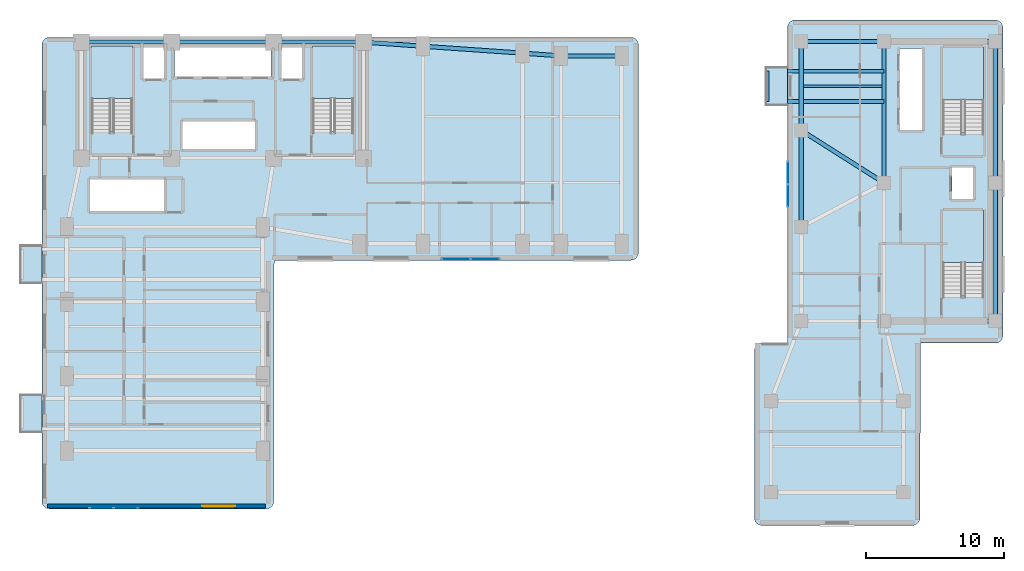
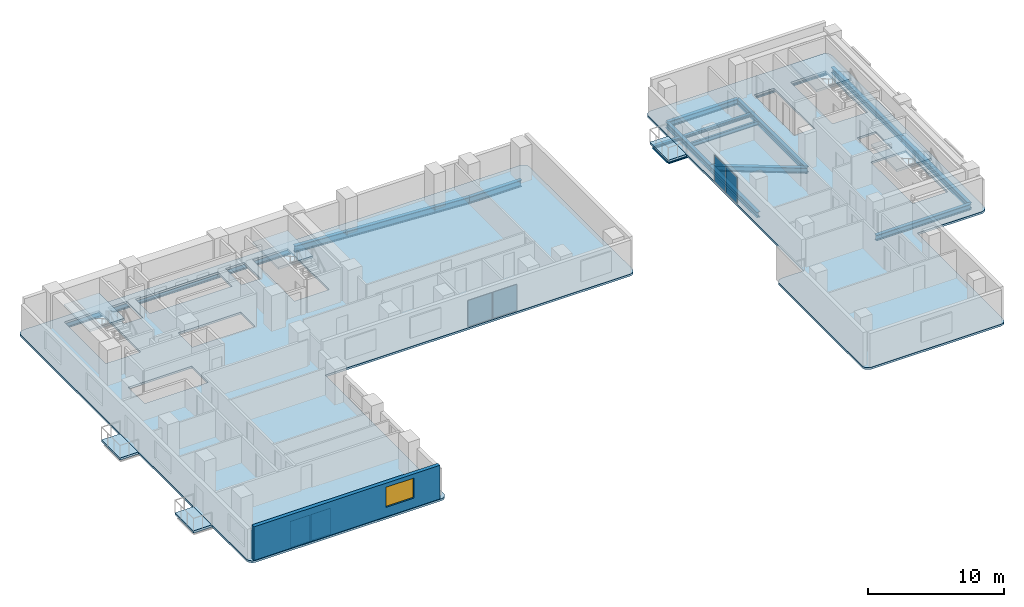
# One storey, part 9 of 17: 20 beams, 9 slabs, 6 plates, 1 wall, 1 window, 1 opening, 7 elements without a shape of their own.
"""IFC4 building model written with IfcOpenShell, lengths in metres."""

from ifc_helpers import new_model, si_unit, direction, frame, frame_2d, origin, origin_2d, place, context, subcontext, project, spatial, polyline, rectangle, i_section, outline, extrude, material, layer, layer_set, material_profile, profile_set, type_object, element, fill, aggregate, save


model = new_model("IFC4")

# Units and contexts
model_context = context("Model", 3, precision=1e-05, world=origin(), true_north=direction((0.0, 1.0)))
body_context = subcontext(model_context, "Body", "Model", "MODEL_VIEW")
ifc_project = project(units=[si_unit("LENGTHUNIT", "METRE"), si_unit("AREAUNIT", "SQUARE_METRE"), si_unit("VOLUMEUNIT", "CUBIC_METRE"), si_unit("PLANEANGLEUNIT", "RADIAN"), si_unit("MASSUNIT", "GRAM", prefix="KILO")], contexts=[model_context])

# Site, building, storey
site_placement = place(None, origin())
site = spatial("IfcSite", under=ifc_project, at=site_placement, CompositionType="ELEMENT")
building_placement = place(site_placement, origin())
building = spatial("IfcBuilding", under=site, at=building_placement, Name="Kuzgunbayir Cultural Tower", CompositionType="ELEMENT")
storey_placement = place(building_placement, frame((0.0, 0.0, 50.0)))
storey = spatial("IfcBuildingStorey", under=building, at=storey_placement, Name="L13", CompositionType="ELEMENT", Elevation=50.0)

# Beams
ifc_material_1 = material(Name="Steel S355J2", Category="steel")
ifc_material_profile_1 = material_profile(ifc_material_1, i_section(OverallWidth=0.260009765625, OverallDepth=0.260009765625, WebThickness=0.010009765625, FlangeThickness=0.017578125, FilletRadius=0.02392578125, at=origin_2d()), Name="HEB 260")
ifc_profile_set_1 = profile_set([ifc_material_profile_1], Name="Steel S355J2")
beam_type_1 = type_object("IfcBeamType", Name="BM-BAL-HEB260", PredefinedType="BEAM", material=ifc_profile_set_1)
for number, where, z_axis, x_axis, name in (
    (1, (56.159912109375, 37.89990234375, -0.330078125), (1.0, 0.0, 0.0), (0.0, 1.0, 0.0), "L13 Companion Balcony Outrigger BAL-L13-T2W3.1"),
    (2, (56.159912109375, 40.10009765625, -0.330078125), (1.0, 0.0, 0.0), (0.0, 1.0, 0.0), "L13 Companion Balcony Outrigger BAL-L13-T2W3.2"),
):
    element("IfcBeam", number, at=place(storey_placement, frame(where, z_axis=z_axis, x_axis=x_axis)), inside=storey, type_object=beam_type_1, Name=name, PredefinedType="BEAM", context=body_context, shape_type="SweptSolid", body=[
        extrude(i_section(OverallWidth=0.260009765625, OverallDepth=0.260009765625, WebThickness=0.010009765625, FlangeThickness=0.017578125, FilletRadius=0.02392578125, at=origin_2d()), origin(), (0.0, 0.0, 1.0), 8.440185546875),
    ])
ifc_material_profile_2 = material_profile(ifc_material_1, i_section(OverallWidth=0.199951171875, OverallDepth=0.199951171875, WebThickness=0.009033203125, FlangeThickness=0.014892578125, FilletRadius=0.01806640625, at=origin_2d()), Name="HEB 200")
ifc_profile_set_2 = profile_set([ifc_material_profile_2], Name="Steel S355J2")
beam_type_2 = type_object("IfcBeamType", Name="BM-CAN-HEB200", PredefinedType="BEAM", material=ifc_profile_set_2)
beam_1_placement = place(storey_placement, frame((56.159912109375, 37.89990234375, -0.300048828125), z_axis=(0.0, 1.0, 0.0), x_axis=(-1.0, 0.0, 0.0)))
element("IfcBeam", 3, at=beam_1_placement, inside=storey, type_object=beam_type_2, Name="L13 Companion Balcony Header BAL-L13-T2W3", PredefinedType="BEAM", context=body_context, shape_type="SweptSolid", body=[
    extrude(i_section(OverallWidth=0.199951171875, OverallDepth=0.199951171875, WebThickness=0.009033203125, FlangeThickness=0.014892578125, FilletRadius=0.01806640625, at=origin_2d()), origin(), (0.0, 0.0, 1.0), 2.2001953125),
])
ifc_material_profile_3 = material_profile(ifc_material_1, i_section(OverallWidth=0.300048828125, OverallDepth=0.5, WebThickness=0.014404296875, FlangeThickness=0.028076171875, FilletRadius=0.027099609375, at=origin_2d()), Name="HEB 500")
ifc_profile_set_3 = profile_set([ifc_material_profile_3], Name="Steel S355J2")
beam_type_3 = type_object("IfcBeamType", Name="BM-EXT-HEB500", PredefinedType="BEAM", material=ifc_profile_set_3)
beam_2_placement = place(storey_placement, frame((58.60009765625, 28.800048828125, -0.429931640625), z_axis=(0.0, 1.0, 0.0), x_axis=(-1.0, 0.0, 0.0)))
element("IfcBeam", 4, at=beam_2_placement, inside=storey, type_object=beam_type_3, Name="L13 Companion West Girder", PredefinedType="BEAM", context=body_context, shape_type="SweptSolid", body=[
    extrude(i_section(OverallWidth=0.300048828125, OverallDepth=0.5, WebThickness=0.014404296875, FlangeThickness=0.028076171875, FilletRadius=0.027099609375, at=origin_2d()), origin(), (0.0, 0.0, 1.0), 7.0),
])
beam_3_placement = place(storey_placement, frame((58.60009765625, 35.800048828125, -0.429931640625), z_axis=(0.0, 1.0, 0.0), x_axis=(-1.0, 0.0, 0.0)))
element("IfcBeam", 5, at=beam_3_placement, inside=storey, type_object=beam_type_3, Name="L13 Companion West Girder", PredefinedType="BEAM", context=body_context, shape_type="SweptSolid", body=[
    extrude(i_section(OverallWidth=0.300048828125, OverallDepth=0.5, WebThickness=0.014404296875, FlangeThickness=0.028076171875, FilletRadius=0.027099609375, at=origin_2d()), origin(), (0.0, 0.0, 1.0), 6.449951171875),
])
ifc_material_profile_4 = material_profile(ifc_material_1, i_section(OverallWidth=0.300048828125, OverallDepth=0.60009765625, WebThickness=0.015380859375, FlangeThickness=0.030029296875, FilletRadius=0.027099609375, at=origin_2d()), Name="HEB 600")
ifc_profile_set_4 = profile_set([ifc_material_profile_4], Name="Steel S355J2")
beam_type_4 = type_object("IfcBeamType", Name="BM-EXT-HEB600", PredefinedType="BEAM", material=ifc_profile_set_4)
beam_4_placement = place(storey_placement, frame((26.89990234375, 42.199951171875, -0.47998046875), z_axis=(0.997574369175, -0.069608749203, 0.0), x_axis=(0.069608749203, 0.997574369175, 0.0)))
element("IfcBeam", 6, at=beam_4_placement, inside=storey, type_object=beam_type_4, Name="L13 Wing B North Girder 1", PredefinedType="BEAM", context=body_context, shape_type="SweptSolid", body=[
    extrude(i_section(OverallWidth=0.300048828125, OverallDepth=0.60009765625, WebThickness=0.015380859375, FlangeThickness=0.030029296875, FilletRadius=0.027099609375, at=origin_2d()), origin(), (0.0, 0.0, 1.0), 4.310546875),
])
beam_5_placement = place(storey_placement, frame((31.199951171875, 41.89990234375, -0.47998046875), z_axis=(0.997597388498, -0.069278066245, 0.0), x_axis=(0.069278066245, 0.997597388498, 0.0)))
element("IfcBeam", 7, at=beam_5_placement, inside=storey, type_object=beam_type_4, Name="L13 Wing B North Girder 2", PredefinedType="BEAM", context=body_context, shape_type="SweptSolid", body=[
    extrude(i_section(OverallWidth=0.300048828125, OverallDepth=0.60009765625, WebThickness=0.015380859375, FlangeThickness=0.030029296875, FilletRadius=0.027099609375, at=origin_2d()), origin(), (0.0, 0.0, 1.0), 7.21728515625),
])
beam_6_placement = place(storey_placement, frame((38.39990234375, 41.39990234375, -0.47998046875), z_axis=(0.997460024076, -0.071228508128, 0.0), x_axis=(0.071228508128, 0.997460024076, 0.0)))
element("IfcBeam", 8, at=beam_6_placement, inside=storey, type_object=beam_type_4, Name="L13 Wing B North Girder 3", PredefinedType="BEAM", context=body_context, shape_type="SweptSolid", body=[
    extrude(i_section(OverallWidth=0.300048828125, OverallDepth=0.60009765625, WebThickness=0.015380859375, FlangeThickness=0.030029296875, FilletRadius=0.027099609375, at=origin_2d()), origin(), (0.0, 0.0, 1.0), 2.80712890625),
])
beam_7_placement = place(storey_placement, frame((41.199951171875, 41.199951171875, -0.47998046875), z_axis=(1.0, 0.0, 0.0), x_axis=(0.0, 1.0, 0.0)))
element("IfcBeam", 9, at=beam_7_placement, inside=storey, type_object=beam_type_4, Name="L13 Wing B North Girder 4", PredefinedType="BEAM", context=body_context, shape_type="SweptSolid", body=[
    extrude(i_section(OverallWidth=0.300048828125, OverallDepth=0.60009765625, WebThickness=0.015380859375, FlangeThickness=0.030029296875, FilletRadius=0.027099609375, at=origin_2d()), origin(), (0.0, 0.0, 1.0), 4.400146484375),
])
ifc_material_profile_5 = material_profile(ifc_material_1, i_section(OverallWidth=0.300048828125, OverallDepth=0.5, WebThickness=0.014404296875, FlangeThickness=0.028076171875, FilletRadius=0.027099609375, at=origin_2d()), Name="HEB 500")
ifc_profile_set_5 = profile_set([ifc_material_profile_5], Name="Steel S355J2")
beam_type_5 = type_object("IfcBeamType", Name="BM-GIR-HEB500", PredefinedType="BEAM", material=ifc_profile_set_5)
beam_8_placement = place(storey_placement, frame((58.60009765625, 35.800048828125, -0.429931640625), z_axis=(0.844815967829, -0.535056988088, 0.0), x_axis=(0.535056988088, 0.844815967829, 0.0)))
element("IfcBeam", 10, at=beam_8_placement, inside=storey, type_object=beam_type_5, Name="L13 Companion Transverse Girder 3", PredefinedType="BEAM", context=body_context, shape_type="SweptSolid", body=[
    extrude(i_section(OverallWidth=0.300048828125, OverallDepth=0.5, WebThickness=0.014404296875, FlangeThickness=0.028076171875, FilletRadius=0.027099609375, at=origin_2d()), origin(), (0.0, 0.0, 1.0), 7.10205078125),
])
beam_9_placement = place(storey_placement, frame((58.60009765625, 42.25, -0.429931640625), z_axis=(1.0, 0.0, 0.0), x_axis=(0.0, 1.0, 0.0)))
element("IfcBeam", 11, at=beam_9_placement, inside=storey, type_object=beam_type_5, Name="L13 Companion Transverse Girder 4", PredefinedType="BEAM", context=body_context, shape_type="SweptSolid", body=[
    extrude(i_section(OverallWidth=0.300048828125, OverallDepth=0.5, WebThickness=0.014404296875, FlangeThickness=0.028076171875, FilletRadius=0.027099609375, at=origin_2d()), origin(), (0.0, 0.0, 1.0), 6.0),
])
beam_10_placement = place(storey_placement, frame((64.60009765625, 32.0, -0.429931640625), z_axis=(0.0, 1.0, 0.0), x_axis=(-1.0, 0.0, 0.0)))
element("IfcBeam", 12, at=beam_10_placement, inside=storey, type_object=beam_type_5, Name="L13 Companion Core West Girder 2", PredefinedType="BEAM", context=body_context, shape_type="SweptSolid", body=[
    extrude(i_section(OverallWidth=0.300048828125, OverallDepth=0.5, WebThickness=0.014404296875, FlangeThickness=0.028076171875, FilletRadius=0.027099609375, at=origin_2d()), origin(), (0.0, 0.0, 1.0), 10.25),
])
beam_11_placement = place(storey_placement, frame((72.64990234375, 22.0, -0.429931640625), z_axis=(0.0, 1.0, 0.0), x_axis=(-1.0, 0.0, 0.0)))
element("IfcBeam", 13, at=beam_11_placement, inside=storey, type_object=beam_type_5, Name="L13 Companion Core East Girder 1", PredefinedType="BEAM", context=body_context, shape_type="SweptSolid", body=[
    extrude(i_section(OverallWidth=0.300048828125, OverallDepth=0.5, WebThickness=0.014404296875, FlangeThickness=0.028076171875, FilletRadius=0.027099609375, at=origin_2d()), origin(), (0.0, 0.0, 1.0), 10.0),
])
beam_12_placement = place(storey_placement, frame((72.64990234375, 32.0, -0.429931640625), z_axis=(0.0, 1.0, 0.0), x_axis=(-1.0, 0.0, 0.0)))
element("IfcBeam", 14, at=beam_12_placement, inside=storey, type_object=beam_type_5, Name="L13 Companion Core East Girder 2", PredefinedType="BEAM", context=body_context, shape_type="SweptSolid", body=[
    extrude(i_section(OverallWidth=0.300048828125, OverallDepth=0.5, WebThickness=0.014404296875, FlangeThickness=0.028076171875, FilletRadius=0.027099609375, at=origin_2d()), origin(), (0.0, 0.0, 1.0), 10.25),
])
for number, where, z_axis, x_axis, name in (
    (15, (64.60009765625, 22.0, -0.429931640625), (1.0, 0.0, 0.0), (0.0, 1.0, 0.0), "L13 Companion Core South Girder"),
    (16, (64.60009765625, 42.25, -0.429931640625), (1.0, 0.0, 0.0), (0.0, 1.0, 0.0), "L13 Companion Core North Girder"),
):
    element("IfcBeam", number, at=place(storey_placement, frame(where, z_axis=z_axis, x_axis=x_axis)), inside=storey, type_object=beam_type_5, Name=name, PredefinedType="BEAM", context=body_context, shape_type="SweptSolid", body=[
        extrude(i_section(OverallWidth=0.300048828125, OverallDepth=0.5, WebThickness=0.014404296875, FlangeThickness=0.028076171875, FilletRadius=0.027099609375, at=origin_2d()), origin(), (0.0, 0.0, 1.0), 8.0498046875),
    ])
ifc_material_profile_6 = material_profile(ifc_material_1, i_section(OverallWidth=0.300048828125, OverallDepth=0.60009765625, WebThickness=0.015380859375, FlangeThickness=0.030029296875, FilletRadius=0.027099609375, at=origin_2d()), Name="HEB 600")
ifc_profile_set_6 = profile_set([ifc_material_profile_6], Name="Steel S355J2")
beam_type_6 = type_object("IfcBeamType", Name="BM-GIR-HEB600", PredefinedType="BEAM", material=ifc_profile_set_6)
beam_13_placement = place(storey_placement, frame((6.449951171875, 42.199951171875, -0.47998046875), z_axis=(1.0, 0.0, 0.0), x_axis=(0.0, 1.0, 0.0)))
element("IfcBeam", 17, at=beam_13_placement, inside=storey, type_object=beam_type_6, Name="L13 Core North Girder 1", PredefinedType="BEAM", context=body_context, shape_type="SweptSolid", body=[
    extrude(i_section(OverallWidth=0.300048828125, OverallDepth=0.60009765625, WebThickness=0.015380859375, FlangeThickness=0.030029296875, FilletRadius=0.027099609375, at=origin_2d()), origin(), (0.0, 0.0, 1.0), 6.550048828125),
])
beam_14_placement = place(storey_placement, frame((13.0, 42.199951171875, -0.47998046875), z_axis=(1.0, 0.0, 0.0), x_axis=(0.0, 1.0, 0.0)))
element("IfcBeam", 18, at=beam_14_placement, inside=storey, type_object=beam_type_6, Name="L13 Core North Girder 2", PredefinedType="BEAM", context=body_context, shape_type="SweptSolid", body=[
    extrude(i_section(OverallWidth=0.300048828125, OverallDepth=0.60009765625, WebThickness=0.015380859375, FlangeThickness=0.030029296875, FilletRadius=0.027099609375, at=origin_2d()), origin(), (0.0, 0.0, 1.0), 7.39990234375),
])
beam_15_placement = place(storey_placement, frame((20.39990234375, 42.199951171875, -0.47998046875), z_axis=(1.0, 0.0, 0.0), x_axis=(0.0, 1.0, 0.0)))
element("IfcBeam", 19, at=beam_15_placement, inside=storey, type_object=beam_type_6, Name="L13 Core North Girder 3", PredefinedType="BEAM", context=body_context, shape_type="SweptSolid", body=[
    extrude(i_section(OverallWidth=0.300048828125, OverallDepth=0.60009765625, WebThickness=0.015380859375, FlangeThickness=0.030029296875, FilletRadius=0.027099609375, at=origin_2d()), origin(), (0.0, 0.0, 1.0), 6.5),
])
ifc_material_profile_7 = material_profile(ifc_material_1, i_section(OverallWidth=0.169921875, OverallDepth=0.360107421875, WebThickness=0.008056640625, FlangeThickness=0.0126953125, FilletRadius=0.01806640625, at=origin_2d()), Name="IPE 360")
ifc_profile_set_7 = profile_set([ifc_material_profile_7], Name="Steel S355J2")
beam_type_7 = type_object("IfcBeamType", Name="BM-JST-IPE360", PredefinedType="JOIST", material=ifc_profile_set_7)
beam_16_placement = place(storey_placement, frame((58.75, 39.0, -0.360107421875), z_axis=(1.0, 0.0, 0.0), x_axis=(0.0, 1.0, 0.0)))
element("IfcBeam", 20, at=beam_16_placement, inside=storey, type_object=beam_type_7, Name="L13 Companion Joist", PredefinedType="JOIST", context=body_context, shape_type="SweptSolid", body=[
    extrude(i_section(OverallWidth=0.169921875, OverallDepth=0.360107421875, WebThickness=0.008056640625, FlangeThickness=0.0126953125, FilletRadius=0.01806640625, at=origin_2d()), origin(), (0.0, 0.0, 1.0), 5.699951171875),
])

# Curtain wall, plates
ifc_material_2 = material(Name="Anodised Aluminium Framing", Category="aluminium")
curtain_wall_type_1 = type_object("IfcCurtainWallType", Name="CW03-T1-OFFICE", PredefinedType="NOTDEFINED", material=ifc_material_2)
curtain_wall_1_placement = place(storey_placement, origin())
curtain_wall_1 = element("IfcCurtainWall", 21, at=curtain_wall_1_placement, inside=storey, type_object=curtain_wall_type_1, Name="L13 Wing A South Feature Curtain Wall", PredefinedType="NOTDEFINED")
ifc_material_3 = material(Name="Solar-Control Triple Glazing", Category="glass")
ifc_layer_1 = layer(ifc_material_3, 0.035888671875)
ifc_layer_set_1 = layer_set([ifc_layer_1], Name="Solar-Control Triple Glazing")
plate_type = type_object("IfcPlateType", Name="PLT-CW-GLASS-36", PredefinedType="CURTAIN_PANEL", material=ifc_layer_set_1)
plate_1_placement = place(storey_placement, frame((7.918701171875, 8.47998046875, 0.06005859375), z_axis=(0.0, 0.0, 1.0), x_axis=(1.0, 0.0, 0.0)))
plate_1 = element("IfcPlate", 22, at=plate_1_placement, type_object=plate_type, Name="CW03 panel 1.1", PredefinedType="CURTAIN_PANEL", context=body_context, shape_type="SweptSolid", body=[
    extrude(rectangle(XDim=1.6875, YDim=0.035888671875, at=origin_2d()), origin(), (0.0, 0.0, 1.0), 2.35009765625),
])
plate_2_placement = place(storey_placement, frame((9.68115234375, 8.47998046875, 0.06005859375), z_axis=(0.0, 0.0, 1.0), x_axis=(1.0, 0.0, 0.0)))
plate_2 = element("IfcPlate", 23, at=plate_2_placement, type_object=plate_type, Name="CW03 panel 2.1", PredefinedType="CURTAIN_PANEL", context=body_context, shape_type="SweptSolid", body=[
    extrude(rectangle(XDim=1.6875, YDim=0.035888671875, at=origin_2d()), origin(), (0.0, 0.0, 1.0), 2.35009765625),
])
aggregate(curtain_wall_1, [plate_1, plate_2])

curtain_wall_2_placement = place(storey_placement, origin())
curtain_wall_2 = element("IfcCurtainWall", 24, at=curtain_wall_2_placement, inside=storey, type_object=curtain_wall_type_1, Name="L13 Wing B South Feature Curtain Wall", PredefinedType="NOTDEFINED")
plate_3_placement = place(storey_placement, frame((33.59375, 26.47998046875, 0.06005859375), z_axis=(0.0, 0.0, 1.0), x_axis=(1.0, 0.0, 0.0)))
plate_3 = element("IfcPlate", 25, at=plate_3_placement, type_object=plate_type, Name="CW03 panel 1.1", PredefinedType="CURTAIN_PANEL", context=body_context, shape_type="SweptSolid", body=[
    extrude(rectangle(XDim=2.03759765625, YDim=0.035888671875, at=origin_2d()), origin(), (0.0, 0.0, 1.0), 2.35009765625),
])
plate_4_placement = place(storey_placement, frame((35.706298828125, 26.47998046875, 0.06005859375), z_axis=(0.0, 0.0, 1.0), x_axis=(1.0, 0.0, 0.0)))
plate_4 = element("IfcPlate", 26, at=plate_4_placement, type_object=plate_type, Name="CW03 panel 2.1", PredefinedType="CURTAIN_PANEL", context=body_context, shape_type="SweptSolid", body=[
    extrude(rectangle(XDim=2.03759765625, YDim=0.035888671875, at=origin_2d()), origin(), (0.0, 0.0, 1.0), 2.35009765625),
])
aggregate(curtain_wall_2, [plate_3, plate_4])

curtain_wall_type_2 = type_object("IfcCurtainWallType", Name="CW04-T2-CULTURAL", PredefinedType="NOTDEFINED", material=ifc_material_2)
curtain_wall_3_placement = place(storey_placement, origin())
curtain_wall_3 = element("IfcCurtainWall", 27, at=curtain_wall_3_placement, inside=storey, type_object=curtain_wall_type_2, Name="L13 Companion Cultural Curtain Wall", PredefinedType="NOTDEFINED")
plate_5_placement = place(storey_placement, frame((57.6201171875, 31.06494140625, 0.06005859375), z_axis=(0.0, 0.0, 1.0), x_axis=(0.0, 1.0, 0.0)))
plate_5 = element("IfcPlate", 28, at=plate_5_placement, type_object=plate_type, Name="CW04 panel 1.1", PredefinedType="CURTAIN_PANEL", context=body_context, shape_type="SweptSolid", body=[
    extrude(rectangle(XDim=1.610107421875, YDim=0.035888671875, at=origin_2d()), origin(), (0.0, 0.0, 1.0), 2.35009765625),
])
plate_6_placement = place(storey_placement, frame((57.6201171875, 32.735107421875, 0.06005859375), z_axis=(0.0, 0.0, 1.0), x_axis=(0.0, 1.0, 0.0)))
plate_6 = element("IfcPlate", 29, at=plate_6_placement, type_object=plate_type, Name="CW04 panel 2.1", PredefinedType="CURTAIN_PANEL", context=body_context, shape_type="SweptSolid", body=[
    extrude(rectangle(XDim=1.610107421875, YDim=0.035888671875, at=origin_2d()), origin(), (0.0, 0.0, 1.0), 2.35009765625),
])
aggregate(curtain_wall_3, [plate_5, plate_6])

# Slabs
ifc_material_4 = material(Name="Concrete C40/50", Category="concrete")
ifc_layer_2 = layer(ifc_material_4, 0.199951171875)
ifc_layer_set_2 = layer_set([ifc_layer_2], Name="Concrete C40/50")
slab_type_1 = type_object("IfcSlabType", Name="SLB-BAL-STONE", PredefinedType="FLOOR", material=ifc_layer_set_2)
slab_1_placement = place(storey_placement, frame((0.0, 0.0, -0.199951171875)))
element("IfcSlab", 30, at=slab_1_placement, inside=storey, type_object=slab_type_1, Name="L13 Projecting Limestone Balcony BAL-L13-WA1", PredefinedType="FLOOR", context=body_context, shape_type="SweptSolid", body=[
    extrude(outline(polyline([(2.0400390625, 13.949951171875), (3.60009765625, 13.949951171875), (3.60009765625, 16.64990234375), (2.0400390625, 16.64990234375), (2.0400390625, 13.949951171875)])), origin(), (0.0, 0.0, 1.0), 0.199951171875),
])
slab_2_placement = place(storey_placement, frame((0.0, 0.0, -0.199951171875)))
element("IfcSlab", 31, at=slab_2_placement, inside=storey, type_object=slab_type_1, Name="L13 Projecting Limestone Balcony BAL-L13-WA3", PredefinedType="FLOOR", context=body_context, shape_type="SweptSolid", body=[
    extrude(outline(polyline([(2.0400390625, 24.75), (3.60009765625, 24.75), (3.60009765625, 27.449951171875), (2.0400390625, 27.449951171875), (2.0400390625, 24.75)])), origin(), (0.0, 0.0, 1.0), 0.199951171875),
])
slab_3_placement = place(storey_placement, frame((0.0, 0.0, -0.199951171875)))
element("IfcSlab", 32, at=slab_3_placement, inside=storey, type_object=slab_type_1, Name="L13 Projecting Limestone Balcony BAL-L13-T2W3", PredefinedType="FLOOR", context=body_context, shape_type="SweptSolid", body=[
    extrude(outline(polyline([(56.0400390625, 37.64990234375), (57.60009765625, 37.64990234375), (57.60009765625, 40.35009765625), (56.0400390625, 40.35009765625), (56.0400390625, 37.64990234375)])), origin(), (0.0, 0.0, 1.0), 0.199951171875),
])

# Stair, slab
stair_type = type_object("IfcStairType", Name="STR-EXIT-CORE", PredefinedType="HALF_TURN_STAIR", material=ifc_material_4)
stair_1_placement = place(storey_placement, origin())
stair_1 = element("IfcStair", 33, at=stair_1_placement, inside=storey, type_object=stair_type, Name="L13 ST-1", PredefinedType="HALF_TURN_STAIR")
ifc_layer_3 = layer(ifc_material_4, 0.179931640625)
ifc_layer_set_3 = layer_set([ifc_layer_3], Name="Concrete C40/50")
slab_type_2 = type_object("IfcSlabType", Name="SLB-LANDING-180", PredefinedType="LANDING", material=ifc_layer_set_3)
slab_4_placement = place(storey_placement, frame((0.0, 0.0, 1.39990234375)))
slab_4 = element("IfcSlab", 34, at=slab_4_placement, type_object=slab_type_2, Name="ST-1 landing 1", PredefinedType="LANDING", context=body_context, shape_type="SweptSolid", body=[
    extrude(outline(polyline([(10.159912109375, 38.1201171875), (10.159912109375, 41.89990234375), (7.199951171875, 41.89990234375), (7.199951171875, 38.1201171875), (10.159912109375, 38.1201171875)])), origin(), (0.0, 0.0, 1.0), 0.2001953125),
])
aggregate(stair_1, [slab_4])

stair_2_placement = place(storey_placement, origin())
stair_2 = element("IfcStair", 35, at=stair_2_placement, inside=storey, type_object=stair_type, Name="L13 ST-2", PredefinedType="HALF_TURN_STAIR")
slab_5_placement = place(storey_placement, frame((0.0, 0.0, 1.39990234375)))
slab_5 = element("IfcSlab", 36, at=slab_5_placement, type_object=slab_type_2, Name="ST-2 landing 1", PredefinedType="LANDING", context=body_context, shape_type="SweptSolid", body=[
    extrude(outline(polyline([(26.159912109375, 38.1201171875), (26.159912109375, 41.89990234375), (23.199951171875, 41.89990234375), (23.199951171875, 38.1201171875), (26.159912109375, 38.1201171875)])), origin(), (0.0, 0.0, 1.0), 0.2001953125),
])
aggregate(stair_2, [slab_5])

stair_3_placement = place(storey_placement, origin())
stair_3 = element("IfcStair", 37, at=stair_3_placement, inside=storey, type_object=stair_type, Name="L13 ST-3", PredefinedType="HALF_TURN_STAIR")
slab_6_placement = place(storey_placement, frame((0.0, 0.0, 1.39990234375)))
slab_6 = element("IfcSlab", 38, at=slab_6_placement, type_object=slab_type_2, Name="ST-3 landing 1", PredefinedType="LANDING", context=body_context, shape_type="SweptSolid", body=[
    extrude(outline(polyline([(71.800048828125, 26.219970703125), (71.800048828125, 30.0), (68.840087890625, 30.0), (68.840087890625, 26.219970703125), (71.800048828125, 26.219970703125)])), origin(), (0.0, 0.0, 1.0), 0.2001953125),
])
aggregate(stair_3, [slab_6])

stair_4_placement = place(storey_placement, origin())
stair_4 = element("IfcStair", 39, at=stair_4_placement, inside=storey, type_object=stair_type, Name="L13 ST-4", PredefinedType="HALF_TURN_STAIR")
slab_7_placement = place(storey_placement, frame((0.0, 0.0, 1.39990234375)))
slab_7 = element("IfcSlab", 40, at=slab_7_placement, type_object=slab_type_2, Name="ST-4 landing 1", PredefinedType="LANDING", context=body_context, shape_type="SweptSolid", body=[
    extrude(outline(polyline([(71.800048828125, 38.02001953125), (71.800048828125, 41.800048828125), (68.840087890625, 41.800048828125), (68.840087890625, 38.02001953125), (71.800048828125, 38.02001953125)])), origin(), (0.0, 0.0, 1.0), 0.2001953125),
])
aggregate(stair_4, [slab_7])

# Slabs
ifc_layer_4 = layer(ifc_material_4, 0.179931640625)
ifc_layer_set_4 = layer_set([ifc_layer_4], Name="Concrete C40/50")
slab_type_3 = type_object("IfcSlabType", Name="SLB-TYP-180", PredefinedType="FLOOR", material=ifc_layer_set_4)
slab_8_placement = place(storey_placement, frame((0.0, 0.0, -0.179931640625)))
element("IfcSlab", 41, at=slab_8_placement, inside=storey, type_object=slab_type_3, Name="L13 Tower 1 Floor Slab T1-MAIN", PredefinedType="FLOOR", context=body_context, shape_type="SweptSolid", body=[
    extrude(outline(polyline([(20.39990234375, 8.949951171875), (20.389892578125, 8.840087890625), (20.360107421875, 8.739990234375), (20.31005859375, 8.639892578125), (20.239990234375, 8.56005859375), (20.159912109375, 8.489990234375), (20.06005859375, 8.43994140625), (19.9599609375, 8.409912109375), (19.85009765625, 8.39990234375), (4.14990234375, 8.39990234375), (4.0400390625, 8.409912109375), (3.93994140625, 8.43994140625), (3.840087890625, 8.489990234375), (3.760009765625, 8.56005859375), (3.68994140625, 8.639892578125), (3.639892578125, 8.739990234375), (3.610107421875, 8.840087890625), (3.60009765625, 8.949951171875), (3.60009765625, 42.0), (3.610107421875, 42.110107421875), (3.639892578125, 42.2099609375), (3.68994140625, 42.31005859375), (3.760009765625, 42.389892578125), (3.840087890625, 42.4599609375), (3.93994140625, 42.510009765625), (4.0400390625, 42.5400390625), (4.14990234375, 42.550048828125), (46.25, 42.550048828125), (46.360107421875, 42.5400390625), (46.4599609375, 42.510009765625), (46.56005859375, 42.4599609375), (46.639892578125, 42.389892578125), (46.7099609375, 42.31005859375), (46.760009765625, 42.2099609375), (46.7900390625, 42.110107421875), (46.800048828125, 42.0), (46.800048828125, 26.949951171875), (46.7900390625, 26.840087890625), (46.760009765625, 26.739990234375), (46.7099609375, 26.639892578125), (46.639892578125, 26.56005859375), (46.56005859375, 26.489990234375), (46.4599609375, 26.43994140625), (46.360107421875, 26.409912109375), (46.25, 26.39990234375), (20.429931640625, 26.39990234375), (20.39990234375, 8.949951171875)]), holes=[polyline([(7.199951171875, 35.760009765625), (7.199951171875, 41.89990234375), (10.159912109375, 41.89990234375), (10.159912109375, 35.760009765625), (7.199951171875, 35.760009765625)]), polyline([(23.199951171875, 35.760009765625), (23.199951171875, 41.89990234375), (26.159912109375, 41.89990234375), (26.159912109375, 35.760009765625), (23.199951171875, 35.760009765625)]), polyline([(13.199951171875, 39.699951171875), (13.199951171875, 41.800048828125), (20.199951171875, 41.800048828125), (20.199951171875, 39.699951171875), (13.199951171875, 39.699951171875)]), polyline([(13.75, 34.39990234375), (13.75, 36.5), (19.080078125, 36.5), (19.080078125, 34.39990234375), (13.75, 34.39990234375)]), polyline([(7.10009765625, 29.89990234375), (7.10009765625, 32.300048828125), (12.5, 32.300048828125), (12.5, 29.89990234375), (7.10009765625, 29.89990234375)]), polyline([(10.89990234375, 39.5), (10.89990234375, 41.89990234375), (12.5, 41.89990234375), (12.5, 39.5), (10.89990234375, 39.5)]), polyline([(20.89990234375, 39.5), (20.89990234375, 41.89990234375), (22.5, 41.89990234375), (22.5, 39.5), (20.89990234375, 39.5)])]), origin(), (0.0, 0.0, 1.0), 0.179931640625),
])
slab_9_placement = place(storey_placement, frame((0.0, 0.0, -0.179931640625)))
element("IfcSlab", 42, at=slab_9_placement, inside=storey, type_object=slab_type_3, Name="L13 Companion Tower 2 Floor Slab", PredefinedType="FLOOR", context=body_context, shape_type="SweptSolid", body=[
    extrude(outline(polyline([(57.60009765625, 20.39990234375), (57.60009765625, 43.25), (57.610107421875, 43.360107421875), (57.639892578125, 43.4599609375), (57.68994140625, 43.56005859375), (57.760009765625, 43.639892578125), (57.840087890625, 43.7099609375), (57.93994140625, 43.760009765625), (58.0400390625, 43.7900390625), (58.14990234375, 43.800048828125), (72.64990234375, 43.800048828125), (72.760009765625, 43.7900390625), (72.860107421875, 43.760009765625), (72.9599609375, 43.7099609375), (73.0400390625, 43.639892578125), (73.110107421875, 43.56005859375), (73.159912109375, 43.4599609375), (73.18994140625, 43.360107421875), (73.199951171875, 43.25), (73.199951171875, 20.949951171875), (73.18994140625, 20.840087890625), (73.159912109375, 20.739990234375), (73.110107421875, 20.639892578125), (73.0400390625, 20.56005859375), (72.9599609375, 20.489990234375), (72.860107421875, 20.43994140625), (72.760009765625, 20.409912109375), (72.64990234375, 20.39990234375), (67.22998046875, 20.39990234375), (67.199951171875, 7.75), (67.18994140625, 7.639892578125), (67.159912109375, 7.5400390625), (67.110107421875, 7.43994140625), (67.0400390625, 7.360107421875), (66.9599609375, 7.2900390625), (66.860107421875, 7.239990234375), (66.760009765625, 7.2099609375), (66.64990234375, 7.199951171875), (55.75, 7.199951171875), (55.639892578125, 7.2099609375), (55.5400390625, 7.239990234375), (55.43994140625, 7.2900390625), (55.360107421875, 7.360107421875), (55.2900390625, 7.43994140625), (55.239990234375, 7.5400390625), (55.2099609375, 7.639892578125), (55.199951171875, 7.75), (55.199951171875, 19.85009765625), (55.2099609375, 19.9599609375), (55.239990234375, 20.06005859375), (55.2900390625, 20.159912109375), (55.360107421875, 20.239990234375), (55.43994140625, 20.31005859375), (55.5400390625, 20.360107421875), (55.639892578125, 20.389892578125), (55.75, 20.39990234375), (57.570068359375, 20.39990234375), (57.60009765625, 20.39990234375)]), holes=[polyline([(68.840087890625, 23.860107421875), (68.840087890625, 30.0), (71.800048828125, 30.0), (71.800048828125, 23.860107421875), (68.840087890625, 23.860107421875)]), polyline([(68.840087890625, 35.659912109375), (68.840087890625, 41.800048828125), (71.800048828125, 41.800048828125), (71.800048828125, 35.659912109375), (68.840087890625, 35.659912109375)]), polyline([(65.699951171875, 35.800048828125), (65.699951171875, 41.75), (67.39990234375, 41.75), (67.39990234375, 35.800048828125), (65.699951171875, 35.800048828125)]), polyline([(69.5, 30.800048828125), (69.5, 33.199951171875), (71.10009765625, 33.199951171875), (71.10009765625, 30.800048828125), (69.5, 30.800048828125)])]), origin(), (0.0, 0.0, 1.0), 0.179931640625),
])

# Wall, opening, window
ifc_material_5 = material(Name="Travertine Buff Ashlar", Category="masonry")
ifc_layer_5 = layer(ifc_material_5, 0.320068359375)
ifc_layer_set_5 = layer_set([ifc_layer_5], Name="Travertine Buff Ashlar")
wall_type = type_object("IfcWallType", Name="WAL-EXT-STONE-320", PredefinedType="STANDARD", material=ifc_layer_set_5)
wall_placement = place(storey_placement, frame((4.0, 8.60009765625, 0.0), z_axis=(0.0, 0.0, 1.0), x_axis=(1.0, 0.0, 0.0)))
wall = element("IfcWall", 43, at=wall_placement, inside=storey, type_object=wall_type, Name="L13 Wing A South Limestone Wall", PredefinedType="STANDARD", context=body_context, shape_type="SweptSolid", body=[
    extrude(rectangle(XDim=15.800048828125, YDim=0.320068359375, at=frame_2d((7.89990234375, 0.0))), origin(), (0.0, 0.0, 1.0), 3.02001953125),
])
opening_placement = place(wall_placement, frame((11.199951171875, 0.0, 0.85009765625)))
opening = element("IfcOpeningElement", 44, at=opening_placement, cuts=wall, Name="Opening WO-24", PredefinedType="OPENING", context=body_context, shape_type="SweptSolid", body=[
    extrude(rectangle(XDim=2.39990234375, YDim=1.800048828125, at=frame_2d((1.199951171875, 0.89990234375))), frame((0.0, 0.169921875, 0.0), z_axis=(0.0, -1.0, 0.0), x_axis=(1.0, 0.0, 0.0)), (0.0, 0.0, 1.0), 0.340087890625),
])
window_type = type_object("IfcWindowType", Name="WIN-OFFICE-24", PartitioningType="SINGLE_PANEL", PredefinedType="WINDOW", material=ifc_material_3)
window_placement = place(opening_placement, origin())
window = element("IfcWindow", 45, at=window_placement, inside=storey, type_object=window_type, Name="L13 WAS Facade Window 7", OverallHeight=1.800048828125, OverallWidth=2.39990234375, PartitioningType="SINGLE_PANEL", PredefinedType="WINDOW", context=body_context, shape_type="SweptSolid", body=[
    extrude(rectangle(XDim=2.39990234375, YDim=1.800048828125, at=frame_2d((1.199951171875, 0.89990234375))), frame((0.0, 0.030029296875, 0.0), z_axis=(0.0, -1.0, 0.0), x_axis=(1.0, 0.0, 0.0)), (0.0, 0.0, 1.0), 0.06005859375),
])
fill(opening, window)

save(model, "model.ifc")
